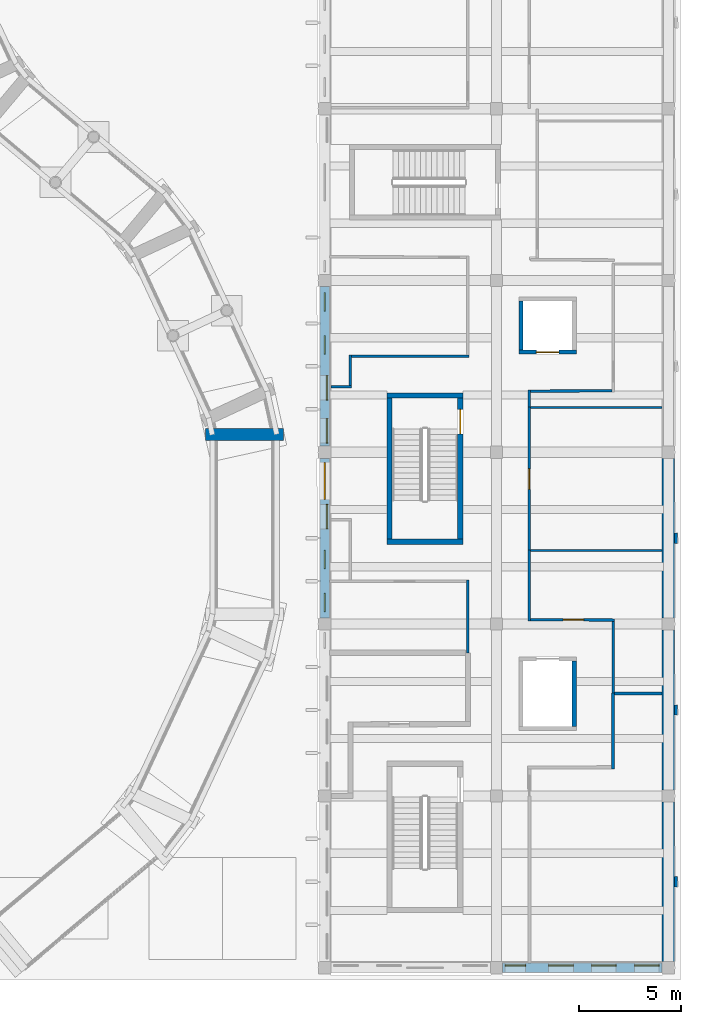
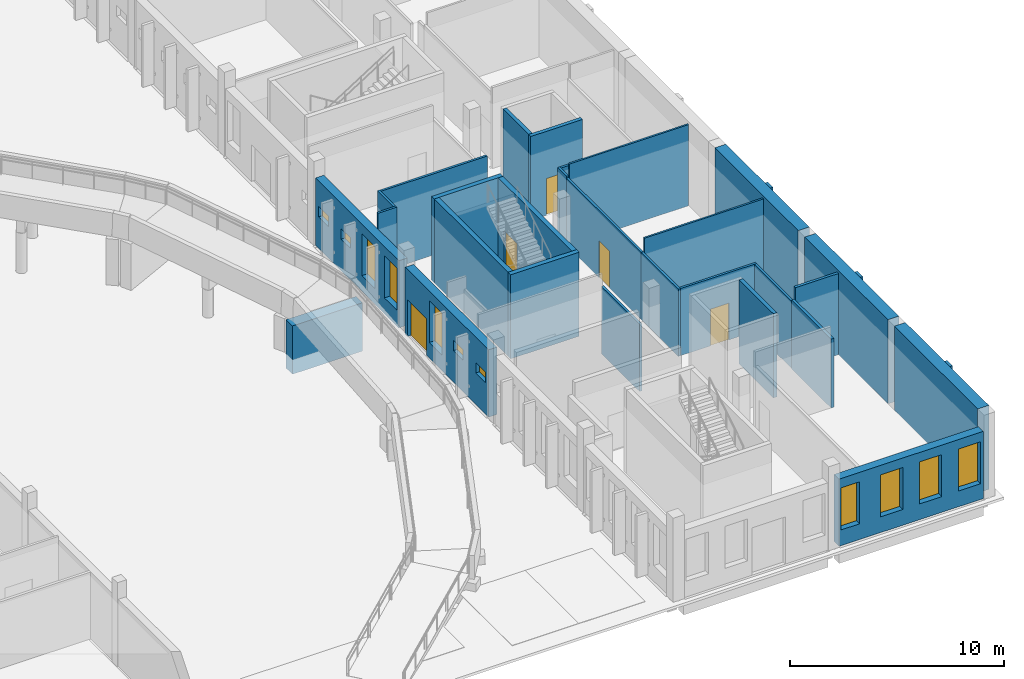
# One storey, part 59 of 110: 31 walls, 11 windows, 5 doors, 16 openings.
"""IFC4 building model written with IfcOpenShell, lengths in metres."""

import ifcopenshell
import ifcopenshell.guid

model = None  # the IFC model being written
_history = None  # IfcOwnerHistory: only IFC2X3 demands one
_inside = {}  # id of a spatial element -> (the spatial element, [elements in it])
_under = {}  # id of a project, library or spatial element -> (it, [spatial elements below it])
_declared = {}  # id of a project -> (the project, [libraries it declares])
_typed = {}  # id of a type object -> (the type object, [elements of that type])
_made_of = {}  # id of a material, layer set ... -> (it, [elements and type objects made of it])


def new_model(schema):
    """Start an empty IFC model of exactly this schema.

    Asked for "IFC4X3", IfcOpenShell would pick the latest addendum, in which some entities
    have other attributes; the version numbers below select the first issue.
    IFC2X3 requires an IfcOwnerHistory on every rooted entity: one is made here for all.
    """
    global model, _history
    if schema == "IFC4X3":
        model = ifcopenshell.file(schema_version=(4, 3, 0, 0))
    else:
        model = ifcopenshell.file(schema=schema)
    _inside.clear()
    _under.clear()
    _declared.clear()
    _typed.clear()
    _made_of.clear()
    _history = None
    if model.schema == "IFC2X3":
        org = make("IfcOrganization", Name="unknown")
        user = make(
            "IfcPersonAndOrganization",
            ThePerson=make("IfcPerson", FamilyName="unknown"),
            TheOrganization=org,
        )
        app = make(
            "IfcApplication",
            ApplicationDeveloper=org,
            Version="unknown",
            ApplicationFullName="unknown",
            ApplicationIdentifier="unknown",
        )
        _history = make(
            "IfcOwnerHistory",
            OwningUser=user,
            OwningApplication=app,
            ChangeAction="ADDED",
            CreationDate=0,
        )
    return model


def make(cls, **values):
    """One entity of the class cls with the attributes given. An attribute that is None is left unset."""
    return model.create_entity(
        cls, **{name: value for name, value in values.items() if value is not None}
    )


def rooted(cls, **values):
    """An entity with a GlobalId (a new one), such as an element, a storey or a relation."""
    return make(cls, GlobalId=ifcopenshell.guid.new(), OwnerHistory=_history, **values)


def si_unit(unit_type, name, prefix=None):
    """IfcSIUnit, for example si_unit("LENGTHUNIT", "METRE", prefix="MILLI")."""
    return make("IfcSIUnit", UnitType=unit_type, Prefix=prefix, Name=name)


def assignment(units):
    """IfcUnitAssignment: the units of a project."""
    return None if units is None else make("IfcUnitAssignment", Units=units)


def point(xyz):
    """IfcCartesianPoint."""
    return None if xyz is None else make("IfcCartesianPoint", Coordinates=xyz)


def direction(xyz):
    """IfcDirection."""
    return None if xyz is None else make("IfcDirection", DirectionRatios=xyz)


def frame(location, z_axis=None, x_axis=None):
    """IfcAxis2Placement3D, a coordinate frame: its origin and axes. An axis left out is left unset."""
    return make(
        "IfcAxis2Placement3D",
        Location=point(location),
        Axis=direction(z_axis),
        RefDirection=direction(x_axis),
    )


def frame_2d(location, x_axis=None):
    """IfcAxis2Placement2D, a coordinate frame in the plane: its origin and x axis."""
    return make(
        "IfcAxis2Placement2D", Location=point(location), RefDirection=direction(x_axis)
    )


def origin():
    """The frame at (0, 0, 0) with its axes left unset."""
    return frame((0.0, 0.0, 0.0))


def place(relative_to, where):
    """IfcLocalPlacement: puts the frame where relative to a parent placement (None: the world)."""
    return make(
        "IfcLocalPlacement", PlacementRelTo=relative_to, RelativePlacement=where
    )


def context(
    kind, dimensions, precision=None, world=None, true_north=None, identifier=None
):
    """IfcGeometricRepresentationContext, for example the 3D "Model" context."""
    return make(
        "IfcGeometricRepresentationContext",
        ContextIdentifier=identifier,
        ContextType=kind,
        CoordinateSpaceDimension=dimensions,
        Precision=precision,
        WorldCoordinateSystem=world,
        TrueNorth=true_north,
    )


def subcontext(parent, identifier, kind, view, scale=None):
    """IfcGeometricRepresentationSubContext, for example "Body" below "Model"."""
    return make(
        "IfcGeometricRepresentationSubContext",
        ContextIdentifier=identifier,
        ContextType=kind,
        ParentContext=parent,
        TargetScale=scale,
        TargetView=view,
    )


def project(units=None, contexts=None):
    """IfcProject with its units and contexts."""
    return rooted(
        "IfcProject",
        Name="project",
        RepresentationContexts=contexts,
        UnitsInContext=assignment(units),
    )


def spatial(cls, under=None, at=None, **own):
    """A site, building, storey or space (cls), placed at a placement, below another one or the project."""
    s = rooted(cls, ObjectPlacement=at, **own)
    if under is not None:
        _under.setdefault(under.id(), (under, []))[1].append(s)
    return s


def profile(cls, at=None, kind="AREA", **sizes):
    """A parametric profile (cls). Its sizes go by their IFC names, for example OverallWidth=200.0."""
    return make(cls, ProfileType=kind, Position=at, **sizes)


def rectangle(**sizes):
    """IfcRectangleProfileDef."""
    return profile("IfcRectangleProfileDef", **sizes)


def extrude(swept, where, along, depth):
    """IfcExtrudedAreaSolid: the profile swept, set in the frame where, extruded along a direction by depth."""
    return make(
        "IfcExtrudedAreaSolid",
        SweptArea=swept,
        Position=where,
        ExtrudedDirection=direction(along),
        Depth=depth,
    )


def shape(context_of_items, identifier, shape_type, items):
    """IfcShapeRepresentation: the items that make up one representation, for example the "Body"."""
    return make(
        "IfcShapeRepresentation",
        ContextOfItems=context_of_items,
        RepresentationIdentifier=identifier,
        RepresentationType=shape_type,
        Items=items,
    )


def material(Name=None, Category=None):
    """IfcMaterial."""
    return make("IfcMaterial", Name=Name, Category=Category)


def layer(
    of_material, thickness, ventilated=None, Name=None, Category=None, Priority=None
):
    """IfcMaterialLayer: one layer of a wall or slab, of a material (None: an air gap)."""
    return make(
        "IfcMaterialLayer",
        Material=of_material,
        LayerThickness=thickness,
        IsVentilated=ventilated,
        Name=Name,
        Category=Category,
        Priority=Priority,
    )


def layer_set(layers, Name=None):
    """IfcMaterialLayerSet."""
    return make("IfcMaterialLayerSet", MaterialLayers=layers, LayerSetName=Name)


def made_of(thing, what):
    """Note that an element or type object is made of a material, layer set ...; save() writes the relation."""
    if what is not None:
        _made_of.setdefault(what.id(), (what, []))[1].append(thing)
    return thing


def type_object(cls, material=None, **own):
    """A type object (cls), such as IfcWallType, which elements share."""
    return made_of(rooted(cls, **own), material)


def element(
    cls,
    number,
    at=None,
    inside=None,
    cuts=None,
    type_object=None,
    material=None,
    context=None,
    identifier="Body",
    shape_type=None,
    held_by="IfcProductDefinitionShape",
    body=None,
    shapes=None,
    **own,
):
    """One element of the class cls, such as IfcWall. Its Tag is "e" and its number.

    at: its placement. inside: the storey or other place that contains it. cuts: it is an
    opening in that element (IfcRelVoidsElement). A single representation is given by context,
    identifier, shape_type and body (its items); several are given by shapes. held_by: the class
    of the entity that holds the representations. save() writes the other relations.
    """
    e = rooted(cls, Tag="e%d" % number, ObjectPlacement=at, **own)
    if body is not None:
        shapes = [shape(context, identifier, shape_type, body)]
    if shapes is not None:
        e.Representation = make(held_by, Representations=shapes)
    if inside is not None:
        _inside.setdefault(inside.id(), (inside, []))[1].append(e)
    if cuts is not None:
        rooted(
            "IfcRelVoidsElement", RelatingBuildingElement=cuts, RelatedOpeningElement=e
        )
    if type_object is not None:
        _typed.setdefault(type_object.id(), (type_object, []))[1].append(e)
    return made_of(e, material)


def fill(opening, filler):
    """IfcRelFillsElement: the door or window that sits in an opening."""
    return rooted(
        "IfcRelFillsElement",
        RelatingOpeningElement=opening,
        RelatedBuildingElement=filler,
    )


def aggregate(whole, parts):
    """IfcRelAggregates: a whole, such as a stair, and the parts it consists of."""
    return rooted("IfcRelAggregates", RelatingObject=whole, RelatedObjects=parts)


def save(model, path):
    """Write the relations noted so far, then the file.

    IfcRelAggregates (storeys below a building ...), IfcRelContainedInSpatialStructure (elements
    in a storey), IfcRelDefinesByType, IfcRelAssociatesMaterial and IfcRelDeclares: one each for
    every whole, place, type object, material and project.
    """
    for whole, parts in _under.values():
        aggregate(whole, parts)
    for where, things in _inside.values():
        rooted(
            "IfcRelContainedInSpatialStructure",
            RelatedElements=things,
            RelatingStructure=where,
        )
    for kind, things in _typed.values():
        rooted("IfcRelDefinesByType", RelatedObjects=things, RelatingType=kind)
    for what, things in _made_of.values():
        rooted("IfcRelAssociatesMaterial", RelatedObjects=things, RelatingMaterial=what)
    for by, libraries in _declared.values():
        rooted("IfcRelDeclares", RelatingContext=by, RelatedDefinitions=libraries)
    model.write(path)


model = new_model("IFC4")

# Units and contexts
model_context = context("Model", 3, precision=1e-05, world=origin(), true_north=direction((0.0, 1.0)))
body_context = subcontext(model_context, "Body", "Model", "MODEL_VIEW")
ifc_project = project(units=[si_unit("LENGTHUNIT", "METRE"), si_unit("AREAUNIT", "SQUARE_METRE"), si_unit("VOLUMEUNIT", "CUBIC_METRE"), si_unit("PLANEANGLEUNIT", "RADIAN"), si_unit("MASSUNIT", "GRAM", prefix="KILO")], contexts=[model_context])

# Site, building, storey
site_placement = place(None, origin())
site = spatial("IfcSite", under=ifc_project, at=site_placement, CompositionType="ELEMENT")
building_placement = place(site_placement, origin())
building = spatial("IfcBuilding", under=site, at=building_placement, Name="Larchfold Concert Hall", CompositionType="ELEMENT")
storey_placement = place(building_placement, origin())
storey = spatial("IfcBuildingStorey", under=building, at=storey_placement, Name="L00", CompositionType="ELEMENT", Elevation=0.0)

# Walls
ifc_material_1 = material(Name="Plasterboard partition on steel studs", Category="steel")
ifc_layer_1 = layer(ifc_material_1, 0.125)
ifc_layer_set_1 = layer_set([ifc_layer_1], Name="Plasterboard partition on steel studs")
wall_type_1 = type_object("IfcWallType", Name="Corridor partition 125 EI 60", PredefinedType="PARTITIONING", material=ifc_layer_set_1)
wall_1_placement = place(storey_placement, frame((91.60009765625, 15.97998046875, 0.0), z_axis=(0.0, 0.0, 1.0), x_axis=(-0.000341017577, 0.999999941854, 0.0)))
element("IfcWall", 1, at=wall_1_placement, inside=storey, type_object=wall_type_1, Name="Partition IW0032", PredefinedType="PARTITIONING", context=body_context, shape_type="SweptSolid", body=[
    extrude(rectangle(XDim=3.57958984375, YDim=0.125, at=frame_2d((1.789794921875, 0.0))), origin(), (0.0, 0.0, 1.0), 3.840087890625),
])
wall_2_placement = place(storey_placement, frame((94.59912109375, 21.02001953125, 0.0), z_axis=(0.0, 0.0, 1.0), x_axis=(0.0, -1.0, 0.0)))
element("IfcWall", 2, at=wall_2_placement, inside=storey, type_object=wall_type_1, Name="Partition IW0040", PredefinedType="PARTITIONING", context=body_context, shape_type="SweptSolid", body=[
    extrude(rectangle(XDim=3.4736328125, YDim=0.125, at=frame_2d((1.73681640625, 0.0))), origin(), (0.0, 0.0, 1.0), 3.840087890625),
])

# Wall, opening, door
wall_3_placement = place(storey_placement, frame((94.66162109375, 17.60888671875, 0.0), z_axis=(0.0, 0.0, 1.0), x_axis=(0.999997019568, -0.002441486203, 0.0)))
wall_3 = element("IfcWall", 3, at=wall_3_placement, inside=storey, type_object=wall_type_1, Name="Partition IW0041", PredefinedType="PARTITIONING", context=body_context, shape_type="SweptSolid", body=[
    extrude(rectangle(XDim=4.099853515625, YDim=0.125, at=frame_2d((2.0498046875, 0.0))), origin(), (0.0, 0.0, 1.0), 3.840087890625),
])
opening_1_placement = place(wall_3_placement, frame((1.59814453125, 0.0, 0.0)))
opening_1 = element("IfcOpeningElement", 4, at=opening_1_placement, cuts=wall_3, Name="Opening D-L00-116", PredefinedType="OPENING", context=body_context, shape_type="SweptSolid", body=[
    extrude(rectangle(XDim=1.0, YDim=2.10009765625, at=frame_2d((0.5, 1.050048828125))), frame((0.0, 0.072509765625, 0.0), z_axis=(0.0, -1.0, 0.0), x_axis=(1.0, 0.0, 0.0)), (0.0, 0.0, 1.0), 0.14501953125),
])
ifc_material_2 = material(Name="Timber door leaf", Category="wood")
door_type_1 = type_object("IfcDoorType", Name="Dressing room door 1000 x 2100 FD30S", OperationType="SINGLE_SWING_LEFT", PredefinedType="DOOR", material=ifc_material_2)
door_1_placement = place(opening_1_placement, origin())
door_1 = element("IfcDoor", 5, at=door_1_placement, inside=storey, type_object=door_type_1, Name="Door D-L00-116", OperationType="SINGLE_SWING_LEFT", OverallHeight=2.10009765625, OverallWidth=1.0, PredefinedType="DOOR", context=body_context, shape_type="SweptSolid", body=[
    extrude(rectangle(XDim=1.0, YDim=2.10009765625, at=frame_2d((0.5, 1.050048828125))), frame((0.0, 0.02490234375, 0.0), z_axis=(0.0, -1.0, 0.0), x_axis=(1.0, 0.0, 0.0)), (0.0, 0.0, 1.0), 0.050048828125),
])
fill(opening_1, door_1)

# Wall
wall_4_placement = place(storey_placement, frame((98.698974609375, 17.53662109375, 0.0), z_axis=(0.0, 0.0, 1.0), x_axis=(0.0, -1.0, 0.0)))
element("IfcWall", 6, at=wall_4_placement, inside=storey, type_object=wall_type_1, Name="Partition IW0042", PredefinedType="PARTITIONING", context=body_context, shape_type="SweptSolid", body=[
    extrude(rectangle(XDim=3.5166015625, YDim=0.125, at=frame_2d((1.75830078125, 0.0))), origin(), (0.0, 0.0, 1.0), 3.840087890625),
])

# Wall, opening, door
wall_5_placement = place(storey_placement, frame((94.59912109375, 28.02001953125, 0.0), z_axis=(0.0, 0.0, 1.0), x_axis=(0.0, -1.0, 0.0)))
wall_5 = element("IfcWall", 7, at=wall_5_placement, inside=storey, type_object=wall_type_1, Name="Partition IW0043", PredefinedType="PARTITIONING", context=body_context, shape_type="SweptSolid", body=[
    extrude(rectangle(XDim=7.0, YDim=0.125, at=frame_2d((3.5, 0.0))), origin(), (0.0, 0.0, 1.0), 3.840087890625),
])
opening_2_placement = place(wall_5_placement, frame((3.029541015625, 0.0, 0.0)))
opening_2 = element("IfcOpeningElement", 8, at=opening_2_placement, cuts=wall_5, Name="Opening D-L00-117", PredefinedType="OPENING", context=body_context, shape_type="SweptSolid", body=[
    extrude(rectangle(XDim=1.0, YDim=2.10009765625, at=frame_2d((0.5, 1.050048828125))), frame((0.0, 0.072509765625, 0.0), z_axis=(0.0, -1.0, 0.0), x_axis=(1.0, 0.0, 0.0)), (0.0, 0.0, 1.0), 0.14501953125),
])
door_2_placement = place(opening_2_placement, origin())
door_2 = element("IfcDoor", 9, at=door_2_placement, inside=storey, type_object=door_type_1, Name="Door D-L00-117", OperationType="SINGLE_SWING_RIGHT", OverallHeight=2.10009765625, OverallWidth=1.0, PredefinedType="DOOR", context=body_context, shape_type="SweptSolid", body=[
    extrude(rectangle(XDim=1.0, YDim=2.10009765625, at=frame_2d((0.5, 1.050048828125))), frame((0.0, 0.02490234375, 0.0), z_axis=(0.0, -1.0, 0.0), x_axis=(1.0, 0.0, 0.0)), (0.0, 0.0, 1.0), 0.050048828125),
])
fill(opening_2, door_2)

# Walls
wall_6_placement = place(storey_placement, frame((84.89990234375, 29.0, 0.0), z_axis=(0.0, 0.0, 1.0), x_axis=(0.999985908193, 0.005308805497, 0.0)))
element("IfcWall", 10, at=wall_6_placement, inside=storey, type_object=wall_type_1, Name="Partition IW0044", PredefinedType="PARTITIONING", context=body_context, shape_type="SweptSolid", body=[
    extrude(rectangle(XDim=1.01171875, YDim=0.125, at=frame_2d((0.505859375, 0.0))), origin(), (0.0, 0.0, 1.0), 4.639892578125),
])
wall_7_placement = place(storey_placement, frame((85.84912109375, 29.0673828125, 0.0), z_axis=(0.0, 0.0, 1.0), x_axis=(0.001307188426, 0.999999145629, 0.0)))
element("IfcWall", 11, at=wall_7_placement, inside=storey, type_object=wall_type_1, Name="Partition IW0045", PredefinedType="PARTITIONING", context=body_context, shape_type="SweptSolid", body=[
    extrude(rectangle(XDim=1.494140625, YDim=0.125, at=frame_2d((0.7470703125, 0.0))), origin(), (0.0, 0.0, 1.0), 4.639892578125),
])
wall_8_placement = place(storey_placement, frame((85.91357421875, 30.4990234375, 0.0), z_axis=(0.0, 0.0, 1.0), x_axis=(0.999999942227, 0.00033991925, 0.0)))
element("IfcWall", 12, at=wall_8_placement, inside=storey, type_object=wall_type_1, Name="Partition IW0046", PredefinedType="PARTITIONING", context=body_context, shape_type="SweptSolid", body=[
    extrude(rectangle(XDim=5.745849609375, YDim=0.125, at=frame_2d((2.873046875, 0.0))), origin(), (0.0, 0.0, 1.0), 4.639892578125),
])
wall_9_placement = place(storey_placement, frame((98.636474609375, 28.80078125, 0.0), z_axis=(0.0, 0.0, 1.0), x_axis=(-0.999998187283, -0.001904056496, 0.0)))
element("IfcWall", 13, at=wall_9_placement, inside=storey, type_object=wall_type_1, Name="Partition IW0050", PredefinedType="PARTITIONING", context=body_context, shape_type="SweptSolid", body=[
    extrude(rectangle(XDim=3.974853515625, YDim=0.125, at=frame_2d((1.9873046875, 0.0))), origin(), (0.0, 0.0, 1.0), 3.93994140625),
])
wall_10_placement = place(storey_placement, frame((94.59912109375, 28.85546875, 0.0), z_axis=(0.0, 0.0, 1.0), x_axis=(0.0, -1.0, 0.0)))
element("IfcWall", 14, at=wall_10_placement, inside=storey, type_object=wall_type_1, Name="Partition IW0051", PredefinedType="PARTITIONING", context=body_context, shape_type="SweptSolid", body=[
    extrude(rectangle(XDim=0.83544921875, YDim=0.125, at=frame_2d((0.417724609375, 0.0))), origin(), (0.0, 0.0, 1.0), 3.93994140625),
])
ifc_material_3 = material(Name="Plasterboard partition on steel studs", Category="steel")
ifc_layer_2 = layer(ifc_material_3, 0.14990234375)
ifc_layer_set_2 = layer_set([ifc_layer_2], Name="Plasterboard partition on steel studs")
wall_type_2 = type_object("IfcWallType", Name="Shaft and plant partition 150 EI 120", PredefinedType="PARTITIONING", material=ifc_layer_set_2)
wall_11_placement = place(storey_placement, frame((98.698974609375, 14.02001953125, 0.0), z_axis=(0.0, 0.0, 1.0), x_axis=(0.0, -1.0, 0.0)))
element("IfcWall", 15, at=wall_11_placement, inside=storey, type_object=wall_type_2, Name="Partition IW0029", PredefinedType="PARTITIONING", context=body_context, shape_type="SweptSolid", body=[
    extrude(rectangle(XDim=3.694091796875, YDim=0.14990234375, at=frame_2d((1.84716796875, 0.0))), origin(), (0.0, 0.0, 1.0), 3.93994140625),
])
wall_12_placement = place(storey_placement, frame((98.77490234375, 14.0, 0.0), z_axis=(0.0, 0.0, 1.0), x_axis=(1.0, 0.0, 0.0)))
element("IfcWall", 16, at=wall_12_placement, inside=storey, type_object=wall_type_2, Name="Partition IW0064", PredefinedType="PARTITIONING", context=body_context, shape_type="SweptSolid", body=[
    extrude(rectangle(XDim=2.3251953125, YDim=0.14990234375, at=frame_2d((1.16259765625, 0.0))), origin(), (0.0, 0.0, 1.0), 4.639892578125),
])
ifc_material_4 = material(Name="Plasterboard partition on steel studs", Category="steel")
ifc_layer_3 = layer(ifc_material_4, 0.10009765625)
ifc_layer_set_3 = layer_set([ifc_layer_3], Name="Plasterboard partition on steel studs")
wall_type_3 = type_object("IfcWallType", Name="Stud partition 100", PredefinedType="PARTITIONING", material=ifc_layer_set_3)
for number, where, z_axis, x_axis, name in (
    (17, (94.6650390625, 21.0, 0.0), (0.0, 0.0, 1.0), (1.0, 0.0, 0.0), "Partition IW0066"),
    (18, (94.6650390625, 28.0, 0.0), (0.0, 0.0, 1.0), (1.0, 0.0, 0.0), "Partition IW0067"),
):
    element("IfcWall", number, at=place(storey_placement, frame(where, z_axis=z_axis, x_axis=x_axis)), inside=storey, type_object=wall_type_3, Name=name, PredefinedType="PARTITIONING", context=body_context, shape_type="SweptSolid", body=[
        extrude(rectangle(XDim=6.43505859375, YDim=0.10009765625, at=frame_2d((3.217529296875, 0.0))), origin(), (0.0, 0.0, 1.0), 4.639892578125),
    ])
ifc_material_5 = material(Name="Concrete C40/50", Category="concrete")
ifc_layer_4 = layer(ifc_material_5, 0.199951171875)
ifc_layer_set_4 = layer_set([ifc_layer_4], Name="Concrete C40/50")
wall_type_4 = type_object("IfcWallType", Name="Wall RC 200 lift shaft", PredefinedType="SOLIDWALL", material=ifc_layer_set_4)
wall_13_placement = place(storey_placement, frame((96.7998046875, 12.39990234375, 0.0), z_axis=(0.0, 0.0, 1.0), x_axis=(0.0, 1.0, 0.0)))
element("IfcWall", 19, at=wall_13_placement, inside=storey, type_object=wall_type_4, Name="Wall W0164", PredefinedType="SOLIDWALL", context=body_context, shape_type="SweptSolid", body=[
    extrude(rectangle(XDim=3.2001953125, YDim=0.199951171875, at=frame_2d((1.60009765625, 0.0))), origin(), (0.0, 0.0, 1.0), 4.800048828125),
])

# Wall, opening, door
wall_14_placement = place(storey_placement, frame((94.10009765625, 30.7001953125, 0.0), z_axis=(0.0, 0.0, 1.0), x_axis=(1.0, 0.0, 0.0)))
wall_14 = element("IfcWall", 20, at=wall_14_placement, inside=storey, type_object=wall_type_4, Name="Wall W0165", PredefinedType="SOLIDWALL", context=body_context, shape_type="SweptSolid", body=[
    extrude(rectangle(XDim=2.7998046875, YDim=0.199951171875, at=frame_2d((1.39990234375, 0.0))), origin(), (0.0, 0.0, 1.0), 4.800048828125),
])
opening_3_placement = place(wall_14_placement, frame((0.849853515625, 0.0, 0.0)))
opening_3 = element("IfcOpeningElement", 21, at=opening_3_placement, cuts=wall_14, Name="Opening LD-LF07", PredefinedType="OPENING", context=body_context, shape_type="SweptSolid", body=[
    extrude(rectangle(XDim=1.10009765625, YDim=2.10009765625, at=frame_2d((0.550048828125, 1.050048828125))), frame((0.0, 0.10986328125, 0.0), z_axis=(0.0, -1.0, 0.0), x_axis=(1.0, 0.0, 0.0)), (0.0, 0.0, 1.0), 0.219970703125),
])
ifc_material_6 = material(Name="Stainless steel sliding leaves", Category="steel")
door_type_2 = type_object("IfcDoorType", Name="Lift landing door sliding 1100 x 2100", OperationType="SLIDING_TO_LEFT", PredefinedType="DOOR", material=ifc_material_6)
door_3_placement = place(opening_3_placement, origin())
door_3 = element("IfcDoor", 22, at=door_3_placement, inside=storey, type_object=door_type_2, Name="Lift landing door LF07", OperationType="SLIDING_TO_LEFT", OverallHeight=2.10009765625, OverallWidth=1.10009765625, PredefinedType="DOOR", context=body_context, shape_type="SweptSolid", body=[
    extrude(rectangle(XDim=1.10009765625, YDim=2.10009765625, at=frame_2d((0.550048828125, 1.050048828125))), frame((0.0, 0.02490234375, 0.0), z_axis=(0.0, -1.0, 0.0), x_axis=(1.0, 0.0, 0.0)), (0.0, 0.0, 1.0), 0.050048828125),
])
fill(opening_3, door_3)

# Walls
wall_15_placement = place(storey_placement, frame((94.2001953125, 30.800048828125, 0.0), z_axis=(0.0, 0.0, 1.0), x_axis=(0.0, 1.0, 0.0)))
element("IfcWall", 23, at=wall_15_placement, inside=storey, type_object=wall_type_4, Name="Wall W0167", PredefinedType="SOLIDWALL", context=body_context, shape_type="SweptSolid", body=[
    extrude(rectangle(XDim=2.39990234375, YDim=0.199951171875, at=frame_2d((1.199951171875, 0.0))), origin(), (0.0, 0.0, 1.0), 4.800048828125),
])
ifc_material_7 = material(Name="Concrete C40/50", Category="concrete")
ifc_layer_5 = layer(ifc_material_7, 0.25)
ifc_layer_set_5 = layer_set([ifc_layer_5], Name="Concrete C40/50")
wall_type_5 = type_object("IfcWallType", Name="Wall RC 250 stair core", PredefinedType="SOLIDWALL", material=ifc_layer_set_5)
for number, where, z_axis, x_axis, name in (
    (24, (87.64990234375, 21.425048828125, 0.0), (0.0, 0.0, 1.0), (1.0, 0.0, 0.0), "Wall W0085"),
    (25, (87.64990234375, 28.574951171875, 0.0), (0.0, 0.0, 1.0), (1.0, 0.0, 0.0), "Wall W0086"),
):
    element("IfcWall", number, at=place(storey_placement, frame(where, z_axis=z_axis, x_axis=x_axis)), inside=storey, type_object=wall_type_5, Name=name, PredefinedType="SOLIDWALL", context=body_context, shape_type="SweptSolid", body=[
        extrude(rectangle(XDim=3.7001953125, YDim=0.25, at=frame_2d((1.85009765625, 0.0))), origin(), (0.0, 0.0, 1.0), 4.800048828125),
    ])
wall_16_placement = place(storey_placement, frame((87.77490234375, 21.550048828125, 0.0), z_axis=(0.0, 0.0, 1.0), x_axis=(0.0, 1.0, 0.0)))
element("IfcWall", 26, at=wall_16_placement, inside=storey, type_object=wall_type_5, Name="Wall W0087", PredefinedType="SOLIDWALL", context=body_context, shape_type="SweptSolid", body=[
    extrude(rectangle(XDim=6.89990234375, YDim=0.25, at=frame_2d((3.449951171875, 0.0))), origin(), (0.0, 0.0, 1.0), 4.800048828125),
])

# Wall, opening, door
wall_17_placement = place(storey_placement, frame((91.22509765625, 21.550048828125, 0.0), z_axis=(0.0, 0.0, 1.0), x_axis=(0.0, 1.0, 0.0)))
wall_17 = element("IfcWall", 27, at=wall_17_placement, inside=storey, type_object=wall_type_5, Name="Wall W0088", PredefinedType="SOLIDWALL", context=body_context, shape_type="SweptSolid", body=[
    extrude(rectangle(XDim=6.89990234375, YDim=0.25, at=frame_2d((3.449951171875, 0.0))), origin(), (0.0, 0.0, 1.0), 4.800048828125),
])
opening_4_placement = place(wall_17_placement, frame((5.14990234375, 0.0, 0.0)))
opening_4 = element("IfcOpeningElement", 28, at=opening_4_placement, cuts=wall_17, Name="Opening D-L00-167", PredefinedType="OPENING", context=body_context, shape_type="SweptSolid", body=[
    extrude(rectangle(XDim=1.199951171875, YDim=2.10009765625, at=frame_2d((0.60009765625, 1.050048828125))), frame((0.0, 0.135009765625, 0.0), z_axis=(0.0, -1.0, 0.0), x_axis=(1.0, 0.0, 0.0)), (0.0, 0.0, 1.0), 0.27001953125),
])
ifc_material_8 = material(Name="Timber door leaf", Category="wood")
door_type_3 = type_object("IfcDoorType", Name="Stair enclosure door pair 1200 x 2100 FD60", OperationType="SINGLE_SWING_LEFT", PredefinedType="DOOR", material=ifc_material_8)
door_4_placement = place(opening_4_placement, origin())
door_4 = element("IfcDoor", 29, at=door_4_placement, inside=storey, type_object=door_type_3, Name="Door D-L00-167", OperationType="DOUBLE_DOOR_SINGLE_SWING", OverallHeight=2.10009765625, OverallWidth=1.199951171875, PredefinedType="DOOR", context=body_context, shape_type="SweptSolid", body=[
    extrude(rectangle(XDim=1.199951171875, YDim=2.10009765625, at=frame_2d((0.60009765625, 1.050048828125))), frame((0.0, 0.02490234375, 0.0), z_axis=(0.0, -1.0, 0.0), x_axis=(1.0, 0.0, 0.0)), (0.0, 0.0, 1.0), 0.050048828125),
])
fill(opening_4, door_4)

# Walls
ifc_material_9 = material(Name="Concrete C40/50", Category="concrete")
ifc_layer_6 = layer(ifc_material_9, 0.60009765625)
ifc_layer_set_6 = layer_set([ifc_layer_6], Name="Concrete C40/50")
wall_type_6 = type_object("IfcWallType", Name="Wall RC 600 party wall", PredefinedType="SOLIDWALL", material=ifc_layer_set_6)
for number, where, z_axis, x_axis, name in (
    (30, (101.39990234375, 0.89990234375, 0.0), (0.0, 0.0, 1.0), (0.0, 1.0, 0.0), "Wall W0020"),
    (31, (101.39990234375, 9.300048828125, 0.0), (0.0, 0.0, 1.0), (0.0, 1.0, 0.0), "Wall W0021"),
    (32, (101.39990234375, 17.699951171875, 0.0), (0.0, 0.0, 1.0), (0.0, 1.0, 0.0), "Wall W0022"),
):
    element("IfcWall", number, at=place(storey_placement, frame(where, z_axis=z_axis, x_axis=x_axis)), inside=storey, type_object=wall_type_6, Name=name, PredefinedType="SOLIDWALL", context=body_context, shape_type="SweptSolid", body=[
        extrude(rectangle(XDim=7.800048828125, YDim=0.60009765625, at=frame_2d((3.89990234375, 0.0))), origin(), (0.0, 0.0, 1.0), 4.800048828125),
    ])
ifc_material_10 = material(Name="Concrete C30/37", Category="concrete")
ifc_layer_7 = layer(ifc_material_10, 0.60009765625)
ifc_layer_set_7 = layer_set([ifc_layer_7], Name="Concrete C30/37")
wall_type_7 = type_object("IfcWallType", Name="Wall RC 600 ramp pier", PredefinedType="SOLIDWALL", material=ifc_layer_set_7)
wall_18_placement = place(storey_placement, frame((82.578857421875, 26.666748046875, -0.85009765625), z_axis=(0.0, 0.0, 1.0), x_axis=(-1.0, 0.0, 0.0)))
element("IfcWall", 33, at=wall_18_placement, inside=storey, type_object=wall_type_7, Name="Wall W0197", PredefinedType="SOLIDWALL", context=body_context, shape_type="SweptSolid", body=[
    extrude(rectangle(XDim=3.7998046875, YDim=0.60009765625, at=frame_2d((1.89990234375, 0.0))), origin(), (0.0, 0.0, 1.0), 2.760009765625),
])

# Wall, openings, windows
ifc_material_11 = material(Name="White render on mineral wool and block")
ifc_layer_8 = layer(ifc_material_11, 0.449951171875)
ifc_layer_set_8 = layer_set([ifc_layer_8], Name="White render on mineral wool and block")
wall_type_8 = type_object("IfcWallType", Name="White render infill wall 450", PredefinedType="SOLIDWALL", material=ifc_layer_set_8)
wall_19_placement = place(storey_placement, frame((84.60009765625, 33.89990234375, 0.0), z_axis=(0.0, 0.0, 1.0), x_axis=(0.0, -1.0, 0.0)))
wall_19 = element("IfcWall", 34, at=wall_19_placement, inside=storey, type_object=wall_type_8, Name="Infill wall W5128", PredefinedType="SOLIDWALL", context=body_context, shape_type="SweptSolid", body=[
    extrude(rectangle(XDim=7.7998046875, YDim=0.449951171875, at=frame_2d((3.89990234375, 0.0))), origin(), (0.0, 0.0, 1.0), 3.840087890625),
])
opening_5_placement = place(wall_19_placement, frame((6.449951171875, 0.0, 0.89990234375)))
opening_5 = element("IfcOpeningElement", 35, at=opening_5_placement, cuts=wall_19, Name="Opening WN-L00-066", PredefinedType="OPENING", context=body_context, shape_type="SweptSolid", body=[
    extrude(rectangle(XDim=1.199951171875, YDim=2.39990234375, at=frame_2d((0.60009765625, 1.199951171875))), frame((0.0, 0.23486328125, 0.0), z_axis=(0.0, -1.0, 0.0), x_axis=(1.0, 0.0, 0.0)), (0.0, 0.0, 1.0), 0.469970703125),
])
opening_6_placement = place(wall_19_placement, frame((4.349853515625, 0.0, 0.89990234375)))
opening_6 = element("IfcOpeningElement", 36, at=opening_6_placement, cuts=wall_19, Name="Opening WN-L00-067", PredefinedType="OPENING", context=body_context, shape_type="SweptSolid", body=[
    extrude(rectangle(XDim=1.199951171875, YDim=2.39990234375, at=frame_2d((0.60009765625, 1.199951171875))), frame((0.0, 0.23486328125, 0.0), z_axis=(0.0, -1.0, 0.0), x_axis=(1.0, 0.0, 0.0)), (0.0, 0.0, 1.0), 0.469970703125),
])
opening_7_placement = place(wall_19_placement, frame((2.39990234375, 0.0, 1.800048828125)))
opening_7 = element("IfcOpeningElement", 37, at=opening_7_placement, cuts=wall_19, Name="Opening WN-L00-068", PredefinedType="OPENING", context=body_context, shape_type="SweptSolid", body=[
    extrude(rectangle(XDim=0.89990234375, YDim=0.60009765625, at=frame_2d((0.449951171875, 0.300048828125))), frame((0.0, 0.23486328125, 0.0), z_axis=(0.0, -1.0, 0.0), x_axis=(1.0, 0.0, 0.0)), (0.0, 0.0, 1.0), 0.469970703125),
])
opening_8_placement = place(wall_19_placement, frame((0.2998046875, 0.0, 1.800048828125)))
opening_8 = element("IfcOpeningElement", 38, at=opening_8_placement, cuts=wall_19, Name="Opening WN-L00-069", PredefinedType="OPENING", context=body_context, shape_type="SweptSolid", body=[
    extrude(rectangle(XDim=0.89990234375, YDim=0.60009765625, at=frame_2d((0.449951171875, 0.300048828125))), frame((0.0, 0.23486328125, 0.0), z_axis=(0.0, -1.0, 0.0), x_axis=(1.0, 0.0, 0.0)), (0.0, 0.0, 1.0), 0.469970703125),
])
ifc_material_12 = material(Name="Anodised graphite aluminium frame with glass", Category="aluminium")
window_type_1 = type_object("IfcWindowType", Name="Slot window 1200x2400", PartitioningType="SINGLE_PANEL", PredefinedType="WINDOW", material=ifc_material_12)
window_1_placement = place(opening_5_placement, origin())
window_1 = element("IfcWindow", 39, at=window_1_placement, inside=storey, type_object=window_type_1, Name="Window WN-L00-066", OverallHeight=2.39990234375, OverallWidth=1.199951171875, PartitioningType="SINGLE_PANEL", PredefinedType="WINDOW", context=body_context, shape_type="SweptSolid", body=[
    extrude(rectangle(XDim=1.199951171875, YDim=2.39990234375, at=frame_2d((0.60009765625, 1.199951171875))), frame((0.0, 0.135009765625, 0.0), z_axis=(0.0, -1.0, 0.0), x_axis=(1.0, 0.0, 0.0)), (0.0, 0.0, 1.0), 0.06005859375),
])
fill(opening_5, window_1)
window_2_placement = place(opening_6_placement, origin())
window_2 = element("IfcWindow", 40, at=window_2_placement, inside=storey, type_object=window_type_1, Name="Window WN-L00-067", OverallHeight=2.39990234375, OverallWidth=1.199951171875, PartitioningType="SINGLE_PANEL", PredefinedType="WINDOW", context=body_context, shape_type="SweptSolid", body=[
    extrude(rectangle(XDim=1.199951171875, YDim=2.39990234375, at=frame_2d((0.60009765625, 1.199951171875))), frame((0.0, 0.135009765625, 0.0), z_axis=(0.0, -1.0, 0.0), x_axis=(1.0, 0.0, 0.0)), (0.0, 0.0, 1.0), 0.06005859375),
])
fill(opening_6, window_2)
ifc_material_13 = material(Name="Anodised graphite aluminium frame with obscured glass", Category="aluminium")
window_type_2 = type_object("IfcWindowType", Name="Toilet high window 900x600", PartitioningType="SINGLE_PANEL", PredefinedType="WINDOW", material=ifc_material_13)
window_3_placement = place(opening_7_placement, origin())
window_3 = element("IfcWindow", 41, at=window_3_placement, inside=storey, type_object=window_type_2, Name="Window WN-L00-068", OverallHeight=0.60009765625, OverallWidth=0.89990234375, PartitioningType="SINGLE_PANEL", PredefinedType="WINDOW", context=body_context, shape_type="SweptSolid", body=[
    extrude(rectangle(XDim=0.89990234375, YDim=0.60009765625, at=frame_2d((0.449951171875, 0.300048828125))), frame((0.0, 0.034912109375, 0.0), z_axis=(0.0, -1.0, 0.0), x_axis=(1.0, 0.0, 0.0)), (0.0, 0.0, 1.0), 0.06005859375),
])
fill(opening_7, window_3)
window_4_placement = place(opening_8_placement, origin())
window_4 = element("IfcWindow", 42, at=window_4_placement, inside=storey, type_object=window_type_2, Name="Window WN-L00-069", OverallHeight=0.60009765625, OverallWidth=0.89990234375, PartitioningType="SINGLE_PANEL", PredefinedType="WINDOW", context=body_context, shape_type="SweptSolid", body=[
    extrude(rectangle(XDim=0.89990234375, YDim=0.60009765625, at=frame_2d((0.449951171875, 0.300048828125))), frame((0.0, 0.034912109375, 0.0), z_axis=(0.0, -1.0, 0.0), x_axis=(1.0, 0.0, 0.0)), (0.0, 0.0, 1.0), 0.06005859375),
])
fill(opening_8, window_4)

# Wall, openings, door, windows
wall_20_placement = place(storey_placement, frame((84.60009765625, 25.5, 0.0), z_axis=(0.0, 0.0, 1.0), x_axis=(0.0, -1.0, 0.0)))
wall_20 = element("IfcWall", 43, at=wall_20_placement, inside=storey, type_object=wall_type_8, Name="Infill wall W5129", PredefinedType="SOLIDWALL", context=body_context, shape_type="SweptSolid", body=[
    extrude(rectangle(XDim=7.800048828125, YDim=0.449951171875, at=frame_2d((3.89990234375, 0.0))), origin(), (0.0, 0.0, 1.0), 3.840087890625),
])
opening_9_placement = place(wall_20_placement, frame((2.0, 0.0, 0.0), z_axis=(0.0, 0.0, 1.0), x_axis=(-1.0, 0.0, 0.0)))
opening_9 = element("IfcOpeningElement", 44, at=opening_9_placement, cuts=wall_20, Name="Opening D-L00-217", PredefinedType="OPENING", context=body_context, shape_type="SweptSolid", body=[
    extrude(rectangle(XDim=1.800048828125, YDim=2.10009765625, at=frame_2d((0.89990234375, 1.050048828125))), frame((0.0, 0.23486328125, 0.0), z_axis=(0.0, -1.0, 0.0), x_axis=(1.0, 0.0, 0.0)), (0.0, 0.0, 1.0), 0.469970703125),
])
opening_10_placement = place(wall_20_placement, frame((6.60009765625, 0.0, 1.800048828125)))
opening_10 = element("IfcOpeningElement", 45, at=opening_10_placement, cuts=wall_20, Name="Opening WN-L00-070", PredefinedType="OPENING", context=body_context, shape_type="SweptSolid", body=[
    extrude(rectangle(XDim=0.89990234375, YDim=0.60009765625, at=frame_2d((0.449951171875, 0.300048828125))), frame((0.0, 0.23486328125, 0.0), z_axis=(0.0, -1.0, 0.0), x_axis=(1.0, 0.0, 0.0)), (0.0, 0.0, 1.0), 0.469970703125),
])
opening_11_placement = place(wall_20_placement, frame((4.5, 0.0, 1.800048828125)))
opening_11 = element("IfcOpeningElement", 46, at=opening_11_placement, cuts=wall_20, Name="Opening WN-L00-071", PredefinedType="OPENING", context=body_context, shape_type="SweptSolid", body=[
    extrude(rectangle(XDim=0.89990234375, YDim=0.60009765625, at=frame_2d((0.449951171875, 0.300048828125))), frame((0.0, 0.23486328125, 0.0), z_axis=(0.0, -1.0, 0.0), x_axis=(1.0, 0.0, 0.0)), (0.0, 0.0, 1.0), 0.469970703125),
])
opening_12_placement = place(wall_20_placement, frame((2.25, 0.0, 0.89990234375)))
opening_12 = element("IfcOpeningElement", 47, at=opening_12_placement, cuts=wall_20, Name="Opening WN-L00-072", PredefinedType="OPENING", context=body_context, shape_type="SweptSolid", body=[
    extrude(rectangle(XDim=1.199951171875, YDim=2.39990234375, at=frame_2d((0.60009765625, 1.199951171875))), frame((0.0, 0.23486328125, 0.0), z_axis=(0.0, -1.0, 0.0), x_axis=(1.0, 0.0, 0.0)), (0.0, 0.0, 1.0), 0.469970703125),
])
ifc_material_14 = material(Name="Anodised graphite aluminium door leaf", Category="aluminium")
door_type_4 = type_object("IfcDoorType", Name="Exit door double 1800x2100", OperationType="DOUBLE_DOOR_SINGLE_SWING", PredefinedType="DOOR", material=ifc_material_14)
door_5_placement = place(opening_9_placement, origin())
door_5 = element("IfcDoor", 48, at=door_5_placement, inside=storey, type_object=door_type_4, Name="Door D-L00-217", OperationType="DOUBLE_DOOR_SINGLE_SWING", OverallHeight=2.10009765625, OverallWidth=1.800048828125, PredefinedType="DOOR", context=body_context, shape_type="SweptSolid", body=[
    extrude(rectangle(XDim=1.800048828125, YDim=2.10009765625, at=frame_2d((0.89990234375, 1.050048828125))), frame((0.0, 0.02490234375, 0.0), z_axis=(0.0, -1.0, 0.0), x_axis=(1.0, 0.0, 0.0)), (0.0, 0.0, 1.0), 0.050048828125),
])
fill(opening_9, door_5)
window_5_placement = place(opening_12_placement, origin())
window_5 = element("IfcWindow", 49, at=window_5_placement, inside=storey, type_object=window_type_1, Name="Window WN-L00-072", OverallHeight=2.39990234375, OverallWidth=1.199951171875, PartitioningType="SINGLE_PANEL", PredefinedType="WINDOW", context=body_context, shape_type="SweptSolid", body=[
    extrude(rectangle(XDim=1.199951171875, YDim=2.39990234375, at=frame_2d((0.60009765625, 1.199951171875))), frame((0.0, 0.135009765625, 0.0), z_axis=(0.0, -1.0, 0.0), x_axis=(1.0, 0.0, 0.0)), (0.0, 0.0, 1.0), 0.06005859375),
])
fill(opening_12, window_5)
window_6_placement = place(opening_10_placement, origin())
window_6 = element("IfcWindow", 50, at=window_6_placement, inside=storey, type_object=window_type_2, Name="Window WN-L00-070", OverallHeight=0.60009765625, OverallWidth=0.89990234375, PartitioningType="SINGLE_PANEL", PredefinedType="WINDOW", context=body_context, shape_type="SweptSolid", body=[
    extrude(rectangle(XDim=0.89990234375, YDim=0.60009765625, at=frame_2d((0.449951171875, 0.300048828125))), frame((0.0, 0.034912109375, 0.0), z_axis=(0.0, -1.0, 0.0), x_axis=(1.0, 0.0, 0.0)), (0.0, 0.0, 1.0), 0.06005859375),
])
fill(opening_10, window_6)
window_7_placement = place(opening_11_placement, origin())
window_7 = element("IfcWindow", 51, at=window_7_placement, inside=storey, type_object=window_type_2, Name="Window WN-L00-071", OverallHeight=0.60009765625, OverallWidth=0.89990234375, PartitioningType="SINGLE_PANEL", PredefinedType="WINDOW", context=body_context, shape_type="SweptSolid", body=[
    extrude(rectangle(XDim=0.89990234375, YDim=0.60009765625, at=frame_2d((0.449951171875, 0.300048828125))), frame((0.0, 0.034912109375, 0.0), z_axis=(0.0, -1.0, 0.0), x_axis=(1.0, 0.0, 0.0)), (0.0, 0.0, 1.0), 0.06005859375),
])
fill(opening_11, window_7)

# Wall, openings, windows
wall_21_placement = place(storey_placement, frame((93.300048828125, 0.60009765625, 0.0), z_axis=(0.0, 0.0, 1.0), x_axis=(1.0, 0.0, 0.0)))
wall_21 = element("IfcWall", 52, at=wall_21_placement, inside=storey, type_object=wall_type_8, Name="Infill wall W5133", PredefinedType="SOLIDWALL", context=body_context, shape_type="SweptSolid", body=[
    extrude(rectangle(XDim=7.7998046875, YDim=0.449951171875, at=frame_2d((3.89990234375, 0.0))), origin(), (0.0, 0.0, 1.0), 3.840087890625),
])
opening_13_placement = place(wall_21_placement, frame((0.12255859375, 0.0, 0.89990234375)))
opening_13 = element("IfcOpeningElement", 53, at=opening_13_placement, cuts=wall_21, Name="Opening WN-L00-084", PredefinedType="OPENING", context=body_context, shape_type="SweptSolid", body=[
    extrude(rectangle(XDim=1.0, YDim=2.39990234375, at=frame_2d((0.5, 1.199951171875))), frame((0.0, 0.23486328125, 0.0), z_axis=(0.0, -1.0, 0.0), x_axis=(1.0, 0.0, 0.0)), (0.0, 0.0, 1.0), 0.469970703125),
])
opening_14_placement = place(wall_21_placement, frame((2.25, 0.0, 0.89990234375)))
opening_14 = element("IfcOpeningElement", 54, at=opening_14_placement, cuts=wall_21, Name="Opening WN-L00-085", PredefinedType="OPENING", context=body_context, shape_type="SweptSolid", body=[
    extrude(rectangle(XDim=1.199951171875, YDim=2.39990234375, at=frame_2d((0.60009765625, 1.199951171875))), frame((0.0, 0.23486328125, 0.0), z_axis=(0.0, -1.0, 0.0), x_axis=(1.0, 0.0, 0.0)), (0.0, 0.0, 1.0), 0.469970703125),
])
opening_15_placement = place(wall_21_placement, frame((4.349853515625, 0.0, 0.89990234375)))
opening_15 = element("IfcOpeningElement", 55, at=opening_15_placement, cuts=wall_21, Name="Opening WN-L00-086", PredefinedType="OPENING", context=body_context, shape_type="SweptSolid", body=[
    extrude(rectangle(XDim=1.199951171875, YDim=2.39990234375, at=frame_2d((0.60009765625, 1.199951171875))), frame((0.0, 0.23486328125, 0.0), z_axis=(0.0, -1.0, 0.0), x_axis=(1.0, 0.0, 0.0)), (0.0, 0.0, 1.0), 0.469970703125),
])
opening_16_placement = place(wall_21_placement, frame((6.449951171875, 0.0, 0.89990234375)))
opening_16 = element("IfcOpeningElement", 56, at=opening_16_placement, cuts=wall_21, Name="Opening WN-L00-087", PredefinedType="OPENING", context=body_context, shape_type="SweptSolid", body=[
    extrude(rectangle(XDim=1.199951171875, YDim=2.39990234375, at=frame_2d((0.60009765625, 1.199951171875))), frame((0.0, 0.23486328125, 0.0), z_axis=(0.0, -1.0, 0.0), x_axis=(1.0, 0.0, 0.0)), (0.0, 0.0, 1.0), 0.469970703125),
])
ifc_material_15 = material(Name="Anodised graphite aluminium frame with glass", Category="aluminium")
window_type_3 = type_object("IfcWindowType", Name="Slot window 1000x2400", PartitioningType="SINGLE_PANEL", PredefinedType="WINDOW", material=ifc_material_15)
window_8_placement = place(opening_13_placement, origin())
window_8 = element("IfcWindow", 57, at=window_8_placement, inside=storey, type_object=window_type_3, Name="Window WN-L00-084", OverallHeight=2.39990234375, OverallWidth=1.0, PartitioningType="SINGLE_PANEL", PredefinedType="WINDOW", context=body_context, shape_type="SweptSolid", body=[
    extrude(rectangle(XDim=1.0, YDim=2.39990234375, at=frame_2d((0.5, 1.199951171875))), frame((0.0, 0.135009765625, 0.0), z_axis=(0.0, -1.0, 0.0), x_axis=(1.0, 0.0, 0.0)), (0.0, 0.0, 1.0), 0.06005859375),
])
fill(opening_13, window_8)
window_9_placement = place(opening_14_placement, origin())
window_9 = element("IfcWindow", 58, at=window_9_placement, inside=storey, type_object=window_type_1, Name="Window WN-L00-085", OverallHeight=2.39990234375, OverallWidth=1.199951171875, PartitioningType="SINGLE_PANEL", PredefinedType="WINDOW", context=body_context, shape_type="SweptSolid", body=[
    extrude(rectangle(XDim=1.199951171875, YDim=2.39990234375, at=frame_2d((0.60009765625, 1.199951171875))), frame((0.0, 0.135009765625, 0.0), z_axis=(0.0, -1.0, 0.0), x_axis=(1.0, 0.0, 0.0)), (0.0, 0.0, 1.0), 0.06005859375),
])
fill(opening_14, window_9)
window_10_placement = place(opening_15_placement, origin())
window_10 = element("IfcWindow", 59, at=window_10_placement, inside=storey, type_object=window_type_1, Name="Window WN-L00-086", OverallHeight=2.39990234375, OverallWidth=1.199951171875, PartitioningType="SINGLE_PANEL", PredefinedType="WINDOW", context=body_context, shape_type="SweptSolid", body=[
    extrude(rectangle(XDim=1.199951171875, YDim=2.39990234375, at=frame_2d((0.60009765625, 1.199951171875))), frame((0.0, 0.135009765625, 0.0), z_axis=(0.0, -1.0, 0.0), x_axis=(1.0, 0.0, 0.0)), (0.0, 0.0, 1.0), 0.06005859375),
])
fill(opening_15, window_10)
window_11_placement = place(opening_16_placement, origin())
window_11 = element("IfcWindow", 60, at=window_11_placement, inside=storey, type_object=window_type_1, Name="Window WN-L00-087", OverallHeight=2.39990234375, OverallWidth=1.199951171875, PartitioningType="SINGLE_PANEL", PredefinedType="WINDOW", context=body_context, shape_type="SweptSolid", body=[
    extrude(rectangle(XDim=1.199951171875, YDim=2.39990234375, at=frame_2d((0.60009765625, 1.199951171875))), frame((0.0, 0.135009765625, 0.0), z_axis=(0.0, -1.0, 0.0), x_axis=(1.0, 0.0, 0.0)), (0.0, 0.0, 1.0), 0.06005859375),
])
fill(opening_16, window_11)

# Walls
ifc_material_16 = material(Name="White render on insulated block")
ifc_layer_9 = layer(ifc_material_16, 0.14990234375)
ifc_layer_set_9 = layer_set([ifc_layer_9], Name="White render on insulated block")
wall_type_9 = type_object("IfcWallType", Name="White render pilaster 150", PredefinedType="SOLIDWALL", material=ifc_layer_set_9)
for number, where, z_axis, x_axis, name in (
    (61, (101.77490234375, 4.550048828125, 0.0), (0.0, 0.0, 1.0), (0.0, 1.0, 0.0), "Pilaster W5338"),
    (62, (101.77490234375, 12.949951171875, 0.0), (0.0, 0.0, 1.0), (0.0, 1.0, 0.0), "Pilaster W5339"),
    (63, (101.77490234375, 21.35009765625, 0.0), (0.0, 0.0, 1.0), (0.0, 1.0, 0.0), "Pilaster W5340"),
):
    element("IfcWall", number, at=place(storey_placement, frame(where, z_axis=z_axis, x_axis=x_axis)), inside=storey, type_object=wall_type_9, Name=name, PredefinedType="SOLIDWALL", context=body_context, shape_type="SweptSolid", body=[
        extrude(rectangle(XDim=0.5, YDim=0.14990234375, at=frame_2d((0.25, 0.0))), origin(), (0.0, 0.0, 1.0), 4.800048828125),
    ])

save(model, "model.ifc")
